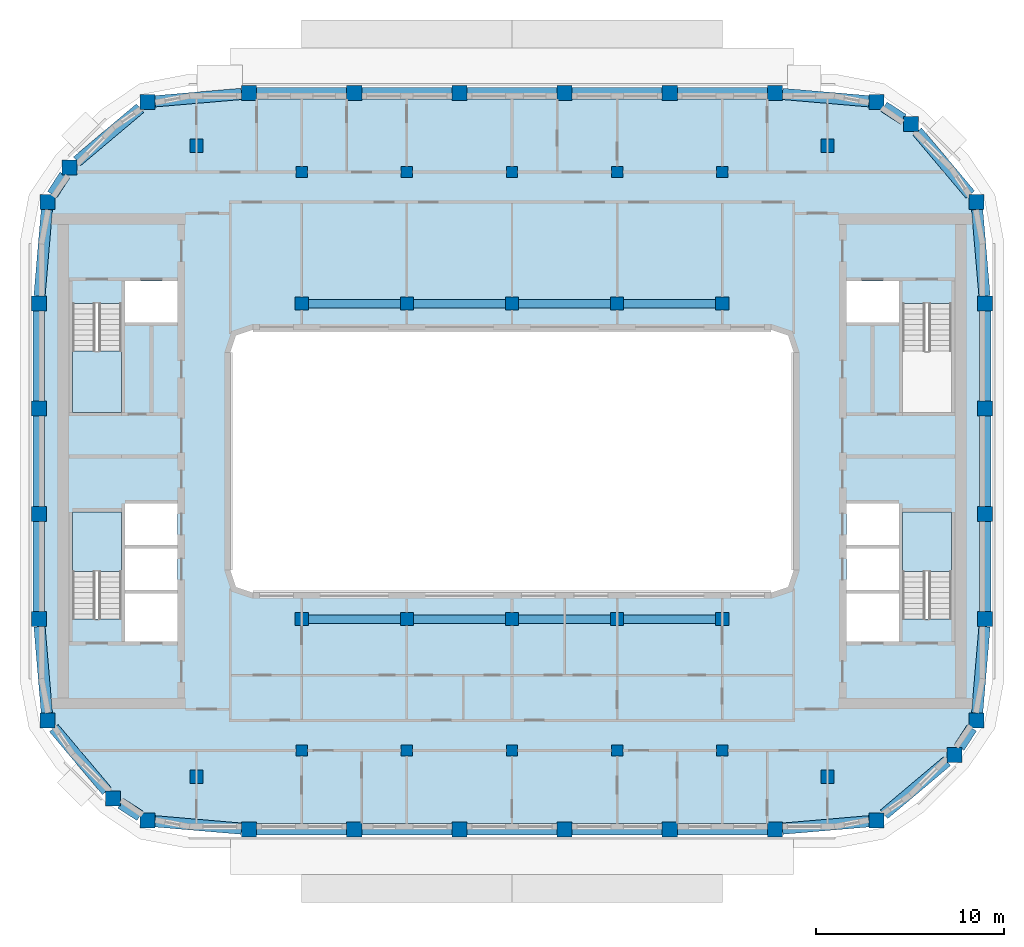
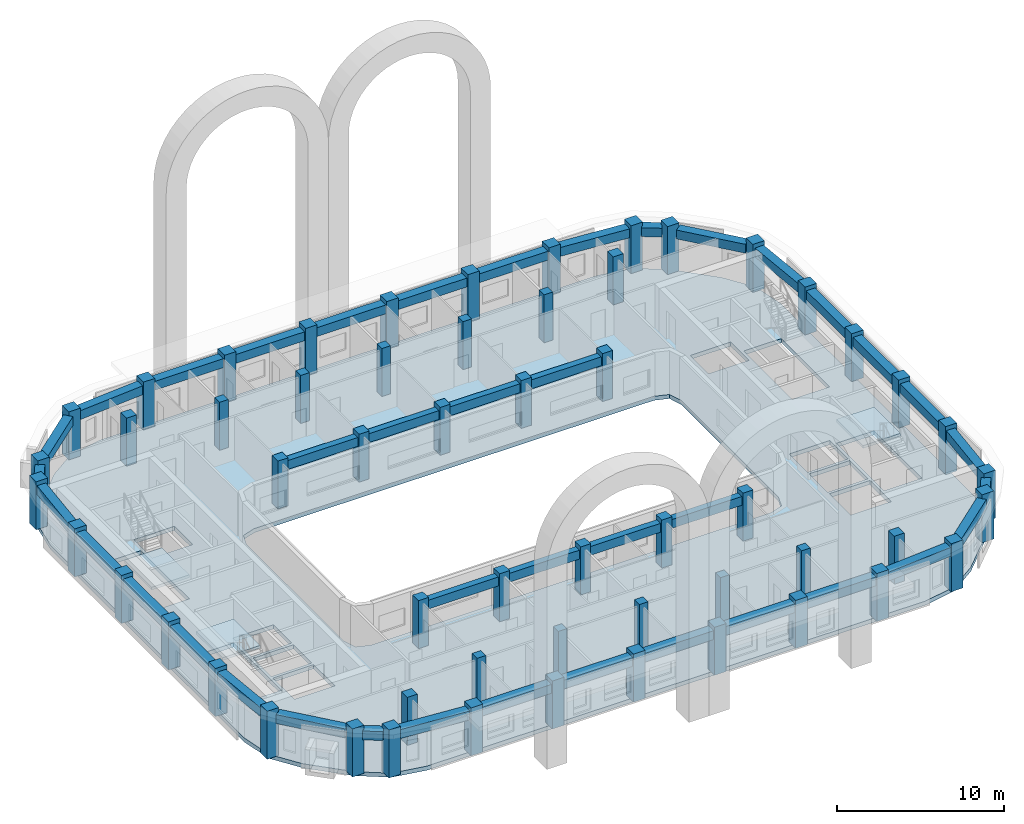
# One storey, part 1 of 18: 56 columns, 40 beams, 4 slabs, 3 elements without a shape of their own.
"""IFC4 building model written with IfcOpenShell, lengths in metres."""

from ifc_helpers import new_model, si_unit, direction, frame, origin, origin_2d, place, context, subcontext, project, spatial, polyline, rectangle, outline, extrude, material, layer, layer_set, material_profile, profile_set, type_object, element, aggregate, save


model = new_model("IFC4")

# Units and contexts
model_context = context("Model", 3, precision=1e-05, world=origin(), true_north=direction((0.0, 1.0)))
body_context = subcontext(model_context, "Body", "Model", "MODEL_VIEW")
ifc_project = project(units=[si_unit("LENGTHUNIT", "METRE"), si_unit("AREAUNIT", "SQUARE_METRE"), si_unit("VOLUMEUNIT", "CUBIC_METRE"), si_unit("PLANEANGLEUNIT", "RADIAN"), si_unit("MASSUNIT", "GRAM", prefix="KILO")], contexts=[model_context])

# Site, building, storey
site_placement = place(None, origin())
site = spatial("IfcSite", under=ifc_project, at=site_placement, CompositionType="ELEMENT")
building_placement = place(site_placement, origin())
building = spatial("IfcBuilding", under=site, at=building_placement, Name="Kiln Ring Residences", CompositionType="ELEMENT")
storey_placement = place(building_placement, frame((0.0, 0.0, 262.699951171875)))
storey = spatial("IfcBuildingStorey", under=building, at=storey_placement, Name="L68", CompositionType="ELEMENT", Elevation=262.699951171875)

# Columns
ifc_material_1 = material(Name="Concrete C60/75", Category="concrete")
ifc_material_profile_1 = material_profile(ifc_material_1, rectangle(XDim=0.60009765625, YDim=0.60009765625, at=origin_2d()), Name="RC600x600")
ifc_profile_set_1 = profile_set([ifc_material_profile_1], Name="Concrete C60/75")
column_type_1 = type_object("IfcColumnType", Name="Corridor column RC600x600 C60/75", PredefinedType="COLUMN", material=ifc_profile_set_1)
for number, where, z_axis, x_axis, name in (
    (1, (-11.199951171875, 15.39990234375, 0.0), (0.0, 0.0, 1.0), (1.0, 0.0, 0.0), "Corridor column L68 1"),
    (2, (-5.60009765625, 15.39990234375, 0.0), (0.0, 0.0, 1.0), (1.0, 0.0, 0.0), "Corridor column L68 2"),
    (3, (0.0, 15.39990234375, 0.0), (0.0, 0.0, 1.0), (1.0, 0.0, 0.0), "Corridor column L68 3"),
    (4, (5.60009765625, 15.39990234375, 0.0), (0.0, 0.0, 1.0), (1.0, 0.0, 0.0), "Corridor column L68 4"),
    (5, (11.199951171875, 15.39990234375, 0.0), (0.0, 0.0, 1.0), (1.0, 0.0, 0.0), "Corridor column L68 5"),
    (6, (-11.199951171875, -15.39990234375, 0.0), (0.0, 0.0, 1.0), (1.0, 0.0, 0.0), "Corridor column L68 6"),
    (7, (-5.60009765625, -15.39990234375, 0.0), (0.0, 0.0, 1.0), (1.0, 0.0, 0.0), "Corridor column L68 7"),
    (8, (0.0, -15.39990234375, 0.0), (0.0, 0.0, 1.0), (1.0, 0.0, 0.0), "Corridor column L68 8"),
    (9, (5.60009765625, -15.39990234375, 0.0), (0.0, 0.0, 1.0), (1.0, 0.0, 0.0), "Corridor column L68 9"),
    (10, (11.199951171875, -15.39990234375, 0.0), (0.0, 0.0, 1.0), (1.0, 0.0, 0.0), "Corridor column L68 10"),
):
    element("IfcColumn", number, at=place(storey_placement, frame(where, z_axis=z_axis, x_axis=x_axis)), inside=storey, type_object=column_type_1, Name=name, PredefinedType="COLUMN", context=body_context, shape_type="SweptSolid", body=[
        extrude(rectangle(XDim=0.60009765625, YDim=0.60009765625, at=origin_2d()), origin(), (0.0, 0.0, 1.0), 3.5),
    ])
ifc_material_2 = material(Name="Concrete C60/75", Category="concrete")
ifc_material_profile_2 = material_profile(ifc_material_2, rectangle(XDim=0.800048828125, YDim=0.800048828125, at=origin_2d()), Name="RC800x800")
ifc_profile_set_2 = profile_set([ifc_material_profile_2], Name="Concrete C60/75")
column_type_2 = type_object("IfcColumnType", Name="Perimeter column RC800x800 C60/75", PredefinedType="COLUMN", material=ifc_profile_set_2)
for number, where, z_axis, x_axis, name in (
    (11, (-19.40869140625, -19.13818359375, 0.0), (0.0, 0.0, 1.0), (1.0, 0.0, 0.0), "Perimeter column L68 1"),
    (12, (-14.0, -19.60009765625, 0.0), (0.0, 0.0, 1.0), (1.0, 0.0, 0.0), "Perimeter column L68 2"),
    (13, (-8.39990234375, -19.60009765625, 0.0), (0.0, 0.0, 1.0), (1.0, 0.0, 0.0), "Perimeter column L68 3"),
    (14, (-2.800048828125, -19.60009765625, 0.0), (0.0, 0.0, 1.0), (1.0, 0.0, 0.0), "Perimeter column L68 4"),
    (15, (2.800048828125, -19.60009765625, 0.0), (0.0, 0.0, 1.0), (1.0, 0.0, 0.0), "Perimeter column L68 5"),
    (16, (8.39990234375, -19.60009765625, 0.0), (0.0, 0.0, 1.0), (1.0, 0.0, 0.0), "Perimeter column L68 6"),
    (17, (14.0, -19.60009765625, 0.0), (0.0, 0.0, 1.0), (1.0, 0.0, 0.0), "Perimeter column L68 7"),
    (18, (19.40869140625, -19.13818359375, 0.0), (0.0, 0.0, 1.0), (1.0, 0.0, 0.0), "Perimeter column L68 8"),
    (19, (23.559814453125, -15.64013671875, 0.0), (0.0, 0.0, 1.0), (1.0, 0.0, 0.0), "Perimeter column L68 9"),
    (20, (24.738037109375, -13.80859375, 0.0), (0.0, 0.0, 1.0), (1.0, 0.0, 0.0), "Perimeter column L68 10"),
    (21, (25.199951171875, -8.39990234375, 0.0), (0.0, 0.0, 1.0), (1.0, 0.0, 0.0), "Perimeter column L68 11"),
    (22, (25.199951171875, -2.800048828125, 0.0), (0.0, 0.0, 1.0), (1.0, 0.0, 0.0), "Perimeter column L68 12"),
    (23, (25.199951171875, 2.800048828125, 0.0), (0.0, 0.0, 1.0), (1.0, 0.0, 0.0), "Perimeter column L68 13"),
    (24, (25.199951171875, 8.39990234375, 0.0), (0.0, 0.0, 1.0), (1.0, 0.0, 0.0), "Perimeter column L68 14"),
    (25, (24.738037109375, 13.80859375, 0.0), (0.0, 0.0, 1.0), (1.0, 0.0, 0.0), "Perimeter column L68 15"),
    (26, (21.240234375, 17.959716796875, 0.0), (0.0, 0.0, 1.0), (1.0, 0.0, 0.0), "Perimeter column L68 16"),
    (27, (19.40869140625, 19.13818359375, 0.0), (0.0, 0.0, 1.0), (1.0, 0.0, 0.0), "Perimeter column L68 17"),
    (28, (14.0, 19.60009765625, 0.0), (0.0, 0.0, 1.0), (1.0, 0.0, 0.0), "Perimeter column L68 18"),
    (29, (8.39990234375, 19.60009765625, 0.0), (0.0, 0.0, 1.0), (1.0, 0.0, 0.0), "Perimeter column L68 19"),
    (30, (2.800048828125, 19.60009765625, 0.0), (0.0, 0.0, 1.0), (1.0, 0.0, 0.0), "Perimeter column L68 20"),
    (31, (-2.800048828125, 19.60009765625, 0.0), (0.0, 0.0, 1.0), (1.0, 0.0, 0.0), "Perimeter column L68 21"),
    (32, (-8.39990234375, 19.60009765625, 0.0), (0.0, 0.0, 1.0), (1.0, 0.0, 0.0), "Perimeter column L68 22"),
    (33, (-14.0, 19.60009765625, 0.0), (0.0, 0.0, 1.0), (1.0, 0.0, 0.0), "Perimeter column L68 23"),
    (34, (-19.40869140625, 19.13818359375, 0.0), (0.0, 0.0, 1.0), (1.0, 0.0, 0.0), "Perimeter column L68 24"),
    (35, (-23.559814453125, 15.64013671875, 0.0), (0.0, 0.0, 1.0), (1.0, 0.0, 0.0), "Perimeter column L68 25"),
    (36, (-24.738037109375, 13.80859375, 0.0), (0.0, 0.0, 1.0), (1.0, 0.0, 0.0), "Perimeter column L68 26"),
    (37, (-25.199951171875, 8.39990234375, 0.0), (0.0, 0.0, 1.0), (1.0, 0.0, 0.0), "Perimeter column L68 27"),
    (38, (-25.199951171875, 2.800048828125, 0.0), (0.0, 0.0, 1.0), (1.0, 0.0, 0.0), "Perimeter column L68 28"),
    (39, (-25.199951171875, -2.800048828125, 0.0), (0.0, 0.0, 1.0), (1.0, 0.0, 0.0), "Perimeter column L68 29"),
    (40, (-25.199951171875, -8.39990234375, 0.0), (0.0, 0.0, 1.0), (1.0, 0.0, 0.0), "Perimeter column L68 30"),
    (41, (-24.738037109375, -13.80859375, 0.0), (0.0, 0.0, 1.0), (1.0, 0.0, 0.0), "Perimeter column L68 31"),
    (42, (-21.240234375, -17.959716796875, 0.0), (0.0, 0.0, 1.0), (1.0, 0.0, 0.0), "Perimeter column L68 32"),
):
    element("IfcColumn", number, at=place(storey_placement, frame(where, z_axis=z_axis, x_axis=x_axis)), inside=storey, type_object=column_type_2, Name=name, PredefinedType="COLUMN", context=body_context, shape_type="SweptSolid", body=[
        extrude(rectangle(XDim=0.800048828125, YDim=0.800048828125, at=origin_2d()), origin(), (0.0, 0.0, 1.0), 3.5),
    ])
ifc_material_3 = material(Name="Concrete C60/75", Category="concrete")
ifc_material_profile_3 = material_profile(ifc_material_3, rectangle(XDim=0.699951171875, YDim=0.699951171875, at=origin_2d()), Name="RC700x700")
ifc_profile_set_3 = profile_set([ifc_material_profile_3], Name="Concrete C60/75")
column_type_3 = type_object("IfcColumnType", Name="Ring column RC700x700 C60/75", PredefinedType="COLUMN", material=ifc_profile_set_3)
for number, where, z_axis, x_axis, name in (
    (43, (-16.800048828125, -16.800048828125, 0.0), (0.0, 0.0, 1.0), (1.0, 0.0, 0.0), "Ring column L68 1"),
    (44, (-16.800048828125, 16.800048828125, 0.0), (0.0, 0.0, 1.0), (1.0, 0.0, 0.0), "Ring column L68 2"),
    (45, (-11.199951171875, -8.39990234375, 0.0), (0.0, 0.0, 1.0), (1.0, 0.0, 0.0), "Ring column L68 3"),
    (46, (-11.199951171875, 8.39990234375, 0.0), (0.0, 0.0, 1.0), (1.0, 0.0, 0.0), "Ring column L68 4"),
    (47, (-5.60009765625, -8.39990234375, 0.0), (0.0, 0.0, 1.0), (1.0, 0.0, 0.0), "Ring column L68 5"),
    (48, (-5.60009765625, 8.39990234375, 0.0), (0.0, 0.0, 1.0), (1.0, 0.0, 0.0), "Ring column L68 6"),
    (49, (0.0, -8.39990234375, 0.0), (0.0, 0.0, 1.0), (1.0, 0.0, 0.0), "Ring column L68 7"),
    (50, (0.0, 8.39990234375, 0.0), (0.0, 0.0, 1.0), (1.0, 0.0, 0.0), "Ring column L68 8"),
    (51, (5.60009765625, -8.39990234375, 0.0), (0.0, 0.0, 1.0), (1.0, 0.0, 0.0), "Ring column L68 9"),
    (52, (5.60009765625, 8.39990234375, 0.0), (0.0, 0.0, 1.0), (1.0, 0.0, 0.0), "Ring column L68 10"),
    (53, (11.199951171875, -8.39990234375, 0.0), (0.0, 0.0, 1.0), (1.0, 0.0, 0.0), "Ring column L68 11"),
    (54, (11.199951171875, 8.39990234375, 0.0), (0.0, 0.0, 1.0), (1.0, 0.0, 0.0), "Ring column L68 12"),
    (55, (16.800048828125, -16.800048828125, 0.0), (0.0, 0.0, 1.0), (1.0, 0.0, 0.0), "Ring column L68 13"),
    (56, (16.800048828125, 16.800048828125, 0.0), (0.0, 0.0, 1.0), (1.0, 0.0, 0.0), "Ring column L68 14"),
):
    element("IfcColumn", number, at=place(storey_placement, frame(where, z_axis=z_axis, x_axis=x_axis)), inside=storey, type_object=column_type_3, Name=name, PredefinedType="COLUMN", context=body_context, shape_type="SweptSolid", body=[
        extrude(rectangle(XDim=0.699951171875, YDim=0.699951171875, at=origin_2d()), origin(), (0.0, 0.0, 1.0), 3.5),
    ])

# Beams
ifc_material_4 = material(Name="Concrete C50/60", Category="concrete")
ifc_material_profile_4 = material_profile(ifc_material_4, rectangle(XDim=0.449951171875, YDim=0.64990234375, at=origin_2d()), Name="RC450x650")
ifc_profile_set_4 = profile_set([ifc_material_profile_4], Name="Concrete C50/60")
beam_type_1 = type_object("IfcBeamType", Name="Ring beam RC450x650 C50/60", PredefinedType="BEAM", material=ifc_profile_set_4)
beam_1_placement = place(storey_placement, frame((-10.85009765625, -8.39990234375, 2.875), z_axis=(1.0, 0.0, 0.0), x_axis=(0.0, 1.0, 0.0)))
element("IfcBeam", 57, at=beam_1_placement, inside=storey, type_object=beam_type_1, Name="Ring beam L68 1", PredefinedType="BEAM", context=body_context, shape_type="SweptSolid", body=[
    extrude(rectangle(XDim=0.449951171875, YDim=0.64990234375, at=origin_2d()), origin(), (0.0, 0.0, 1.0), 4.900146484375),
])
for number, where, z_axis, x_axis, name in (
    (58, (-5.25, -8.39990234375, 2.875), (1.0, 0.0, 0.0), (0.0, 1.0, 0.0), "Ring beam L68 2"),
    (59, (0.35009765625, -8.39990234375, 2.875), (1.0, 0.0, 0.0), (0.0, 1.0, 0.0), "Ring beam L68 3"),
):
    element("IfcBeam", number, at=place(storey_placement, frame(where, z_axis=z_axis, x_axis=x_axis)), inside=storey, type_object=beam_type_1, Name=name, PredefinedType="BEAM", context=body_context, shape_type="SweptSolid", body=[
        extrude(rectangle(XDim=0.449951171875, YDim=0.64990234375, at=origin_2d()), origin(), (0.0, 0.0, 1.0), 4.89990234375),
    ])
for number, where, z_axis, x_axis, name in (
    (60, (5.949951171875, -8.39990234375, 2.875), (1.0, 0.0, 0.0), (0.0, 1.0, 0.0), "Ring beam L68 4"),
    (61, (-10.85009765625, 8.39990234375, 2.875), (1.0, 0.0, 0.0), (0.0, 1.0, 0.0), "Ring beam L68 5"),
):
    element("IfcBeam", number, at=place(storey_placement, frame(where, z_axis=z_axis, x_axis=x_axis)), inside=storey, type_object=beam_type_1, Name=name, PredefinedType="BEAM", context=body_context, shape_type="SweptSolid", body=[
        extrude(rectangle(XDim=0.449951171875, YDim=0.64990234375, at=origin_2d()), origin(), (0.0, 0.0, 1.0), 4.900146484375),
    ])
for number, where, z_axis, x_axis, name in (
    (62, (-5.25, 8.39990234375, 2.875), (1.0, 0.0, 0.0), (0.0, 1.0, 0.0), "Ring beam L68 6"),
    (63, (0.35009765625, 8.39990234375, 2.875), (1.0, 0.0, 0.0), (0.0, 1.0, 0.0), "Ring beam L68 7"),
):
    element("IfcBeam", number, at=place(storey_placement, frame(where, z_axis=z_axis, x_axis=x_axis)), inside=storey, type_object=beam_type_1, Name=name, PredefinedType="BEAM", context=body_context, shape_type="SweptSolid", body=[
        extrude(rectangle(XDim=0.449951171875, YDim=0.64990234375, at=origin_2d()), origin(), (0.0, 0.0, 1.0), 4.89990234375),
    ])
beam_2_placement = place(storey_placement, frame((5.949951171875, 8.39990234375, 2.875), z_axis=(1.0, 0.0, 0.0), x_axis=(0.0, 1.0, 0.0)))
element("IfcBeam", 64, at=beam_2_placement, inside=storey, type_object=beam_type_1, Name="Ring beam L68 8", PredefinedType="BEAM", context=body_context, shape_type="SweptSolid", body=[
    extrude(rectangle(XDim=0.449951171875, YDim=0.64990234375, at=origin_2d()), origin(), (0.0, 0.0, 1.0), 4.900146484375),
])
ifc_material_5 = material(Name="Concrete C50/60", Category="concrete")
ifc_material_profile_5 = material_profile(ifc_material_5, rectangle(XDim=0.60009765625, YDim=0.64990234375, at=origin_2d()), Name="RC600x650")
ifc_profile_set_5 = profile_set([ifc_material_profile_5], Name="Concrete C50/60")
beam_type_2 = type_object("IfcBeamType", Name="Spandrel beam RC600x650 C50/60", PredefinedType="SPANDREL", material=ifc_profile_set_5)
beam_3_placement = place(storey_placement, frame((-19.0087890625, -19.17236328125, 2.875), z_axis=(0.996374056639, -0.085080780766, 0.0), x_axis=(0.085080780766, 0.996374056639, 0.0)))
element("IfcBeam", 65, at=beam_3_placement, inside=storey, type_object=beam_type_2, Name="Spandrel beam L68 1", PredefinedType="SPANDREL", context=body_context, shape_type="SweptSolid", body=[
    extrude(rectangle(XDim=0.60009765625, YDim=0.64990234375, at=origin_2d()), origin(), (0.0, 0.0, 1.0), 4.625732421875),
])
for number, where, z_axis, x_axis, name in (
    (66, (-13.60009765625, -19.60009765625, 2.875), (1.0, 0.0, 0.0), (0.0, 1.0, 0.0), "Spandrel beam L68 2"),
    (67, (-8.0, -19.60009765625, 2.875), (1.0, 0.0, 0.0), (0.0, 1.0, 0.0), "Spandrel beam L68 3"),
):
    element("IfcBeam", number, at=place(storey_placement, frame(where, z_axis=z_axis, x_axis=x_axis)), inside=storey, type_object=beam_type_2, Name=name, PredefinedType="SPANDREL", context=body_context, shape_type="SweptSolid", body=[
        extrude(rectangle(XDim=0.60009765625, YDim=0.64990234375, at=origin_2d()), origin(), (0.0, 0.0, 1.0), 4.800048828125),
    ])
beam_4_placement = place(storey_placement, frame((-2.39990234375, -19.60009765625, 2.875), z_axis=(1.0, 0.0, 0.0), x_axis=(0.0, 1.0, 0.0)))
element("IfcBeam", 68, at=beam_4_placement, inside=storey, type_object=beam_type_2, Name="Spandrel beam L68 4", PredefinedType="SPANDREL", context=body_context, shape_type="SweptSolid", body=[
    extrude(rectangle(XDim=0.60009765625, YDim=0.64990234375, at=origin_2d()), origin(), (0.0, 0.0, 1.0), 4.7998046875),
])
for number, where, z_axis, x_axis, name in (
    (69, (3.199951171875, -19.60009765625, 2.875), (1.0, 0.0, 0.0), (0.0, 1.0, 0.0), "Spandrel beam L68 5"),
    (70, (8.800048828125, -19.60009765625, 2.875), (1.0, 0.0, 0.0), (0.0, 1.0, 0.0), "Spandrel beam L68 6"),
):
    element("IfcBeam", number, at=place(storey_placement, frame(where, z_axis=z_axis, x_axis=x_axis)), inside=storey, type_object=beam_type_2, Name=name, PredefinedType="SPANDREL", context=body_context, shape_type="SweptSolid", body=[
        extrude(rectangle(XDim=0.60009765625, YDim=0.64990234375, at=origin_2d()), origin(), (0.0, 0.0, 1.0), 4.800048828125),
    ])
beam_5_placement = place(storey_placement, frame((14.39990234375, -19.56591796875, 2.875), z_axis=(0.996374056639, 0.085080780766, 0.0), x_axis=(-0.085080780766, 0.996374056639, 0.0)))
element("IfcBeam", 71, at=beam_5_placement, inside=storey, type_object=beam_type_2, Name="Spandrel beam L68 7", PredefinedType="SPANDREL", context=body_context, shape_type="SweptSolid", body=[
    extrude(rectangle(XDim=0.60009765625, YDim=0.64990234375, at=origin_2d()), origin(), (0.0, 0.0, 1.0), 4.625732421875),
])
beam_6_placement = place(storey_placement, frame((19.80859375, -18.801025390625, 2.875), z_axis=(0.764734919154, 0.644345018936, 0.0), x_axis=(-0.644345018936, 0.764734919154, 0.0)))
element("IfcBeam", 72, at=beam_6_placement, inside=storey, type_object=beam_type_2, Name="Spandrel beam L68 8", PredefinedType="SPANDREL", context=body_context, shape_type="SweptSolid", body=[
    extrude(rectangle(XDim=0.60009765625, YDim=0.64990234375, at=origin_2d()), origin(), (0.0, 0.0, 1.0), 4.38232421875),
])
beam_7_placement = place(storey_placement, frame((23.817138671875, -15.240234375, 2.875), z_axis=(0.541029196589, 0.841003810002, 0.0), x_axis=(-0.841003810002, 0.541029196589, 0.0)))
element("IfcBeam", 73, at=beam_7_placement, inside=storey, type_object=beam_type_2, Name="Spandrel beam L68 9", PredefinedType="SPANDREL", context=body_context, shape_type="SweptSolid", body=[
    extrude(rectangle(XDim=0.60009765625, YDim=0.64990234375, at=origin_2d()), origin(), (0.0, 0.0, 1.0), 1.2265625),
])
beam_8_placement = place(storey_placement, frame((24.772216796875, -13.40869140625, 2.875), z_axis=(0.085085255251, 0.996373674551, 0.0), x_axis=(-0.996373674551, 0.085085255251, 0.0)))
element("IfcBeam", 74, at=beam_8_placement, inside=storey, type_object=beam_type_2, Name="Spandrel beam L68 10", PredefinedType="SPANDREL", context=body_context, shape_type="SweptSolid", body=[
    extrude(rectangle(XDim=0.60009765625, YDim=0.64990234375, at=origin_2d()), origin(), (0.0, 0.0, 1.0), 4.62548828125),
])
beam_9_placement = place(storey_placement, frame((25.199951171875, -8.0, 2.875), z_axis=(0.0, 1.0, 0.0), x_axis=(-1.0, 0.0, 0.0)))
element("IfcBeam", 75, at=beam_9_placement, inside=storey, type_object=beam_type_2, Name="Spandrel beam L68 11", PredefinedType="SPANDREL", context=body_context, shape_type="SweptSolid", body=[
    extrude(rectangle(XDim=0.60009765625, YDim=0.64990234375, at=origin_2d()), origin(), (0.0, 0.0, 1.0), 4.800048828125),
])
beam_10_placement = place(storey_placement, frame((25.199951171875, -2.39990234375, 2.875), z_axis=(0.0, 1.0, 0.0), x_axis=(-1.0, 0.0, 0.0)))
element("IfcBeam", 76, at=beam_10_placement, inside=storey, type_object=beam_type_2, Name="Spandrel beam L68 12", PredefinedType="SPANDREL", context=body_context, shape_type="SweptSolid", body=[
    extrude(rectangle(XDim=0.60009765625, YDim=0.64990234375, at=origin_2d()), origin(), (0.0, 0.0, 1.0), 4.7998046875),
])
beam_11_placement = place(storey_placement, frame((25.199951171875, 3.199951171875, 2.875), z_axis=(0.0, 1.0, 0.0), x_axis=(-1.0, 0.0, 0.0)))
element("IfcBeam", 77, at=beam_11_placement, inside=storey, type_object=beam_type_2, Name="Spandrel beam L68 13", PredefinedType="SPANDREL", context=body_context, shape_type="SweptSolid", body=[
    extrude(rectangle(XDim=0.60009765625, YDim=0.64990234375, at=origin_2d()), origin(), (0.0, 0.0, 1.0), 4.800048828125),
])
beam_12_placement = place(storey_placement, frame((25.165771484375, 8.800048828125, 2.875), z_axis=(-0.085085255251, 0.996373674551, 0.0), x_axis=(-0.996373674551, -0.085085255251, 0.0)))
element("IfcBeam", 78, at=beam_12_placement, inside=storey, type_object=beam_type_2, Name="Spandrel beam L68 14", PredefinedType="SPANDREL", context=body_context, shape_type="SweptSolid", body=[
    extrude(rectangle(XDim=0.60009765625, YDim=0.64990234375, at=origin_2d()), origin(), (0.0, 0.0, 1.0), 4.62548828125),
])
beam_13_placement = place(storey_placement, frame((24.401123046875, 14.208740234375, 2.875), z_axis=(-0.644405049218, 0.764684335227, 0.0), x_axis=(-0.764684335227, -0.644405049218, 0.0)))
element("IfcBeam", 79, at=beam_13_placement, inside=storey, type_object=beam_type_2, Name="Spandrel beam L68 15", PredefinedType="SPANDREL", context=body_context, shape_type="SweptSolid", body=[
    extrude(rectangle(XDim=0.60009765625, YDim=0.64990234375, at=origin_2d()), origin(), (0.0, 0.0, 1.0), 4.38232421875),
])
beam_14_placement = place(storey_placement, frame((20.840087890625, 18.217041015625, 2.875), z_axis=(-0.840913236818, 0.541169962345, 0.0), x_axis=(-0.541169962345, -0.840913236818, 0.0)))
element("IfcBeam", 80, at=beam_14_placement, inside=storey, type_object=beam_type_2, Name="Spandrel beam L68 16", PredefinedType="SPANDREL", context=body_context, shape_type="SweptSolid", body=[
    extrude(rectangle(XDim=0.60009765625, YDim=0.64990234375, at=origin_2d()), origin(), (0.0, 0.0, 1.0), 1.2265625),
])
beam_15_placement = place(storey_placement, frame((19.0087890625, 19.17236328125, 2.875), z_axis=(-0.996374056639, 0.085080780766, 0.0), x_axis=(-0.085080780766, -0.996374056639, 0.0)))
element("IfcBeam", 81, at=beam_15_placement, inside=storey, type_object=beam_type_2, Name="Spandrel beam L68 17", PredefinedType="SPANDREL", context=body_context, shape_type="SweptSolid", body=[
    extrude(rectangle(XDim=0.60009765625, YDim=0.64990234375, at=origin_2d()), origin(), (0.0, 0.0, 1.0), 4.625732421875),
])
for number, where, z_axis, x_axis, name in (
    (82, (13.60009765625, 19.60009765625, 2.875), (-1.0, 0.0, 0.0), (0.0, -1.0, 0.0), "Spandrel beam L68 18"),
    (83, (8.0, 19.60009765625, 2.875), (-1.0, 0.0, 0.0), (0.0, -1.0, 0.0), "Spandrel beam L68 19"),
):
    element("IfcBeam", number, at=place(storey_placement, frame(where, z_axis=z_axis, x_axis=x_axis)), inside=storey, type_object=beam_type_2, Name=name, PredefinedType="SPANDREL", context=body_context, shape_type="SweptSolid", body=[
        extrude(rectangle(XDim=0.60009765625, YDim=0.64990234375, at=origin_2d()), origin(), (0.0, 0.0, 1.0), 4.800048828125),
    ])
beam_16_placement = place(storey_placement, frame((2.39990234375, 19.60009765625, 2.875), z_axis=(-1.0, 0.0, 0.0), x_axis=(0.0, -1.0, 0.0)))
element("IfcBeam", 84, at=beam_16_placement, inside=storey, type_object=beam_type_2, Name="Spandrel beam L68 20", PredefinedType="SPANDREL", context=body_context, shape_type="SweptSolid", body=[
    extrude(rectangle(XDim=0.60009765625, YDim=0.64990234375, at=origin_2d()), origin(), (0.0, 0.0, 1.0), 4.7998046875),
])
for number, where, z_axis, x_axis, name in (
    (85, (-3.199951171875, 19.60009765625, 2.875), (-1.0, 0.0, 0.0), (0.0, -1.0, 0.0), "Spandrel beam L68 21"),
    (86, (-8.800048828125, 19.60009765625, 2.875), (-1.0, 0.0, 0.0), (0.0, -1.0, 0.0), "Spandrel beam L68 22"),
):
    element("IfcBeam", number, at=place(storey_placement, frame(where, z_axis=z_axis, x_axis=x_axis)), inside=storey, type_object=beam_type_2, Name=name, PredefinedType="SPANDREL", context=body_context, shape_type="SweptSolid", body=[
        extrude(rectangle(XDim=0.60009765625, YDim=0.64990234375, at=origin_2d()), origin(), (0.0, 0.0, 1.0), 4.800048828125),
    ])
beam_17_placement = place(storey_placement, frame((-14.39990234375, 19.56591796875, 2.875), z_axis=(-0.996374056639, -0.085080780766, 0.0), x_axis=(0.085080780766, -0.996374056639, 0.0)))
element("IfcBeam", 87, at=beam_17_placement, inside=storey, type_object=beam_type_2, Name="Spandrel beam L68 23", PredefinedType="SPANDREL", context=body_context, shape_type="SweptSolid", body=[
    extrude(rectangle(XDim=0.60009765625, YDim=0.64990234375, at=origin_2d()), origin(), (0.0, 0.0, 1.0), 4.625732421875),
])
beam_18_placement = place(storey_placement, frame((-19.80859375, 18.801025390625, 2.875), z_axis=(-0.764734919154, -0.644345018936, 0.0), x_axis=(0.644345018936, -0.764734919154, 0.0)))
element("IfcBeam", 88, at=beam_18_placement, inside=storey, type_object=beam_type_2, Name="Spandrel beam L68 24", PredefinedType="SPANDREL", context=body_context, shape_type="SweptSolid", body=[
    extrude(rectangle(XDim=0.60009765625, YDim=0.64990234375, at=origin_2d()), origin(), (0.0, 0.0, 1.0), 4.38232421875),
])
beam_19_placement = place(storey_placement, frame((-23.817138671875, 15.240234375, 2.875), z_axis=(-0.541029196589, -0.841003810002, 0.0), x_axis=(0.841003810002, -0.541029196589, 0.0)))
element("IfcBeam", 89, at=beam_19_placement, inside=storey, type_object=beam_type_2, Name="Spandrel beam L68 25", PredefinedType="SPANDREL", context=body_context, shape_type="SweptSolid", body=[
    extrude(rectangle(XDim=0.60009765625, YDim=0.64990234375, at=origin_2d()), origin(), (0.0, 0.0, 1.0), 1.2265625),
])
beam_20_placement = place(storey_placement, frame((-24.772216796875, 13.40869140625, 2.875), z_axis=(-0.085085255251, -0.996373674551, 0.0), x_axis=(0.996373674551, -0.085085255251, 0.0)))
element("IfcBeam", 90, at=beam_20_placement, inside=storey, type_object=beam_type_2, Name="Spandrel beam L68 26", PredefinedType="SPANDREL", context=body_context, shape_type="SweptSolid", body=[
    extrude(rectangle(XDim=0.60009765625, YDim=0.64990234375, at=origin_2d()), origin(), (0.0, 0.0, 1.0), 4.62548828125),
])
beam_21_placement = place(storey_placement, frame((-25.199951171875, 8.0, 2.875), z_axis=(0.0, -1.0, 0.0), x_axis=(1.0, 0.0, 0.0)))
element("IfcBeam", 91, at=beam_21_placement, inside=storey, type_object=beam_type_2, Name="Spandrel beam L68 27", PredefinedType="SPANDREL", context=body_context, shape_type="SweptSolid", body=[
    extrude(rectangle(XDim=0.60009765625, YDim=0.64990234375, at=origin_2d()), origin(), (0.0, 0.0, 1.0), 4.800048828125),
])
beam_22_placement = place(storey_placement, frame((-25.199951171875, 2.39990234375, 2.875), z_axis=(0.0, -1.0, 0.0), x_axis=(1.0, 0.0, 0.0)))
element("IfcBeam", 92, at=beam_22_placement, inside=storey, type_object=beam_type_2, Name="Spandrel beam L68 28", PredefinedType="SPANDREL", context=body_context, shape_type="SweptSolid", body=[
    extrude(rectangle(XDim=0.60009765625, YDim=0.64990234375, at=origin_2d()), origin(), (0.0, 0.0, 1.0), 4.7998046875),
])
beam_23_placement = place(storey_placement, frame((-25.199951171875, -3.199951171875, 2.875), z_axis=(0.0, -1.0, 0.0), x_axis=(1.0, 0.0, 0.0)))
element("IfcBeam", 93, at=beam_23_placement, inside=storey, type_object=beam_type_2, Name="Spandrel beam L68 29", PredefinedType="SPANDREL", context=body_context, shape_type="SweptSolid", body=[
    extrude(rectangle(XDim=0.60009765625, YDim=0.64990234375, at=origin_2d()), origin(), (0.0, 0.0, 1.0), 4.800048828125),
])
beam_24_placement = place(storey_placement, frame((-25.165771484375, -8.800048828125, 2.875), z_axis=(0.085085255251, -0.996373674551, 0.0), x_axis=(0.996373674551, 0.085085255251, 0.0)))
element("IfcBeam", 94, at=beam_24_placement, inside=storey, type_object=beam_type_2, Name="Spandrel beam L68 30", PredefinedType="SPANDREL", context=body_context, shape_type="SweptSolid", body=[
    extrude(rectangle(XDim=0.60009765625, YDim=0.64990234375, at=origin_2d()), origin(), (0.0, 0.0, 1.0), 4.62548828125),
])
beam_25_placement = place(storey_placement, frame((-24.401123046875, -14.208740234375, 2.875), z_axis=(0.644405049218, -0.764684335227, 0.0), x_axis=(0.764684335227, 0.644405049218, 0.0)))
element("IfcBeam", 95, at=beam_25_placement, inside=storey, type_object=beam_type_2, Name="Spandrel beam L68 31", PredefinedType="SPANDREL", context=body_context, shape_type="SweptSolid", body=[
    extrude(rectangle(XDim=0.60009765625, YDim=0.64990234375, at=origin_2d()), origin(), (0.0, 0.0, 1.0), 4.38232421875),
])
beam_26_placement = place(storey_placement, frame((-20.840087890625, -18.217041015625, 2.875), z_axis=(0.840913236818, -0.541169962345, 0.0), x_axis=(0.541169962345, 0.840913236818, 0.0)))
element("IfcBeam", 96, at=beam_26_placement, inside=storey, type_object=beam_type_2, Name="Spandrel beam L68 32", PredefinedType="SPANDREL", context=body_context, shape_type="SweptSolid", body=[
    extrude(rectangle(XDim=0.60009765625, YDim=0.64990234375, at=origin_2d()), origin(), (0.0, 0.0, 1.0), 1.2265625),
])

# Stair, slab
ifc_material_6 = material(Name="Concrete C40/50", Category="concrete")
stair_type = type_object("IfcStairType", Name="CORE-STAIR", PredefinedType="HALF_TURN_STAIR", material=ifc_material_6)
placement_1 = place(storey_placement, origin())
stair_1 = element("IfcStair", 97, at=placement_1, inside=storey, type_object=stair_type, Name="L68 stair W-STN", PredefinedType="HALF_TURN_STAIR")
ifc_material_7 = material(Name="Concrete C40/50", Category="concrete")
ifc_layer_1 = layer(ifc_material_7, 0.199951171875)
ifc_layer_set_1 = layer_set([ifc_layer_1], Name="CORE-STAIR-LANDING")
slab_type_1 = type_object("IfcSlabType", Name="CORE-STAIR-LANDING", PredefinedType="LANDING", material=ifc_layer_set_1)
placement_2 = place(storey_placement, frame((0.0, 0.0, 1.550048828125)))
slab_1 = element("IfcSlab", 98, at=placement_2, type_object=slab_type_1, Name="W-STN landing 1", PredefinedType="LANDING", context=body_context, shape_type="SweptSolid", body=[
    extrude(outline(polyline([(-23.39990234375, 5.8798828125), (-23.39990234375, 2.60009765625), (-20.800048828125, 2.60009765625), (-20.800048828125, 5.8798828125), (-23.39990234375, 5.8798828125)])), origin(), (0.0, 0.0, 1.0), 0.199951171875),
])
aggregate(stair_1, [slab_1])

stair_2 = element("IfcStair", 99, at=placement_1, inside=storey, type_object=stair_type, Name="L68 stair W-STS", PredefinedType="HALF_TURN_STAIR")
slab_2 = element("IfcSlab", 100, at=placement_2, type_object=slab_type_1, Name="W-STS landing 1", PredefinedType="LANDING", context=body_context, shape_type="SweptSolid", body=[
    extrude(outline(polyline([(-20.800048828125, -5.8798828125), (-20.800048828125, -2.699951171875), (-23.39990234375, -2.699951171875), (-23.39990234375, -5.8798828125), (-20.800048828125, -5.8798828125)])), origin(), (0.0, 0.0, 1.0), 0.199951171875),
])
aggregate(stair_2, [slab_2])

stair_3 = element("IfcStair", 101, at=placement_1, inside=storey, type_object=stair_type, Name="L68 stair E-STS", PredefinedType="HALF_TURN_STAIR")
slab_3 = element("IfcSlab", 102, at=placement_2, type_object=slab_type_1, Name="E-STS landing 1", PredefinedType="LANDING", context=body_context, shape_type="SweptSolid", body=[
    extrude(outline(polyline([(23.39990234375, -5.8798828125), (23.39990234375, -2.699951171875), (20.800048828125, -2.699951171875), (20.800048828125, -5.8798828125), (23.39990234375, -5.8798828125)])), origin(), (0.0, 0.0, 1.0), 0.199951171875),
])
aggregate(stair_3, [slab_3])

# Slab
ifc_material_8 = material(Name="Concrete C40/50", Category="concrete")
ifc_layer_2 = layer(ifc_material_8, 0.300048828125)
ifc_layer_set_2 = layer_set([ifc_layer_2], Name="Floor slab 300")
slab_type_2 = type_object("IfcSlabType", Name="Floor slab 300", PredefinedType="FLOOR", material=ifc_layer_set_2)
slab_4_placement = place(storey_placement, frame((0.0, 0.0, -0.300048828125)))
element("IfcSlab", 103, at=slab_4_placement, inside=storey, type_object=slab_type_2, Name="Floor slab L68 1", PredefinedType="FLOOR", context=body_context, shape_type="SweptSolid", body=[
    extrude(outline(polyline([(-23.5029296875, -15.697021484375), (-21.297119140625, -17.90283203125), (-19.42431640625, -19.17578125), (-17.199951171875, -19.60009765625), (17.199951171875, -19.60009765625), (19.42431640625, -19.17578125), (21.297119140625, -17.90283203125), (23.5029296875, -15.697021484375), (24.775634765625, -13.82421875), (25.199951171875, -11.60009765625), (25.199951171875, 11.60009765625), (24.775634765625, 13.82421875), (23.5029296875, 15.697021484375), (21.297119140625, 17.90283203125), (19.42431640625, 19.17578125), (17.199951171875, 19.60009765625), (-17.199951171875, 19.60009765625), (-19.42431640625, 19.17578125), (-21.297119140625, 17.90283203125), (-23.5029296875, 15.697021484375), (-24.775634765625, 13.82421875), (-25.199951171875, 11.60009765625), (-25.199951171875, -11.60009765625), (-24.775634765625, -13.82421875), (-23.5029296875, -15.697021484375)]), holes=[polyline([(-14.699951171875, -6.699951171875), (-15.0, -5.800048828125), (-15.0, 5.800048828125), (-14.699951171875, 6.699951171875), (-13.800048828125, 7.0), (13.800048828125, 7.0), (14.699951171875, 6.699951171875), (15.0, 5.800048828125), (15.0, -5.800048828125), (14.699951171875, -6.699951171875), (13.800048828125, -7.0), (-13.800048828125, -7.0), (-14.699951171875, -6.699951171875)]), polyline([(20.800048828125, -8.39794921875), (20.800048828125, -2.699951171875), (23.39990234375, -2.699951171875), (23.39990234375, -8.39794921875), (20.800048828125, -8.39794921875)]), polyline([(20.800048828125, 2.60009765625), (20.800048828125, 8.39794921875), (23.39990234375, 8.39794921875), (23.39990234375, 2.60009765625), (20.800048828125, 2.60009765625)]), polyline([(17.800048828125, -6.85009765625), (17.800048828125, -4.64990234375), (20.60009765625, -4.64990234375), (20.60009765625, -6.85009765625), (17.800048828125, -6.85009765625)]), polyline([(17.800048828125, 7.39990234375), (17.800048828125, 9.60009765625), (20.60009765625, 9.60009765625), (20.60009765625, 7.39990234375), (17.800048828125, 7.39990234375)]), polyline([(20.60009765625, -9.60009765625), (17.800048828125, -9.60009765625), (17.800048828125, -7.050048828125), (20.60009765625, -7.050048828125), (20.60009765625, -9.60009765625)]), polyline([(20.60009765625, -4.449951171875), (17.800048828125, -4.449951171875), (17.800048828125, -2.25), (20.60009765625, -2.25), (20.60009765625, -4.449951171875)]), polyline([(-17.800048828125, -7.050048828125), (-17.800048828125, -9.60009765625), (-20.60009765625, -9.60009765625), (-20.60009765625, -7.050048828125), (-17.800048828125, -7.050048828125)]), polyline([(-17.800048828125, -6.85009765625), (-20.60009765625, -6.85009765625), (-20.60009765625, -4.64990234375), (-17.800048828125, -4.64990234375), (-17.800048828125, -6.85009765625)]), polyline([(-17.800048828125, -2.25), (-17.800048828125, -4.449951171875), (-20.60009765625, -4.449951171875), (-20.60009765625, -2.25), (-17.800048828125, -2.25)]), polyline([(-17.800048828125, 7.39990234375), (-20.60009765625, 7.39990234375), (-20.60009765625, 9.60009765625), (-17.800048828125, 9.60009765625), (-17.800048828125, 7.39990234375)]), polyline([(-20.800048828125, -8.39794921875), (-23.39990234375, -8.39794921875), (-23.39990234375, -2.699951171875), (-20.800048828125, -2.699951171875), (-20.800048828125, -8.39794921875)]), polyline([(-20.800048828125, 2.60009765625), (-23.39990234375, 2.60009765625), (-23.39990234375, 8.39794921875), (-20.800048828125, 8.39794921875), (-20.800048828125, 2.60009765625)])]), origin(), (0.0, 0.0, 1.0), 0.300048828125),
])

save(model, "model.ifc")
